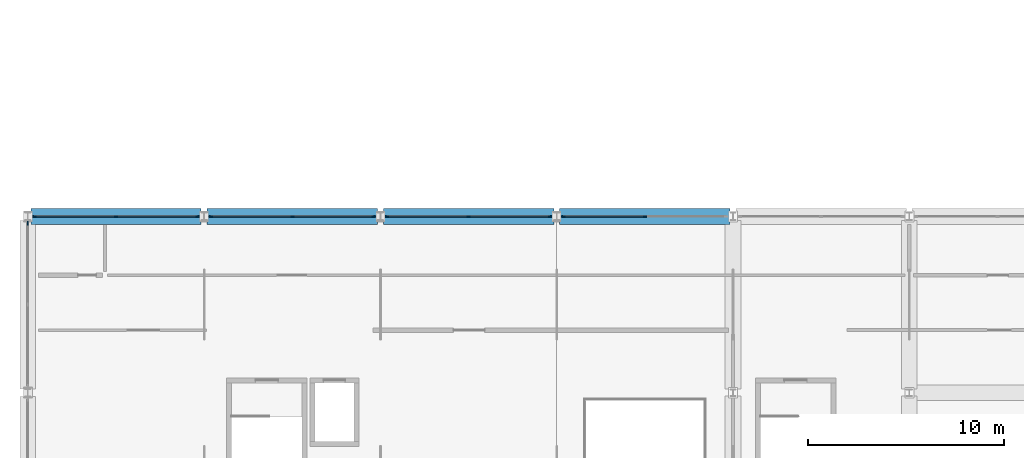
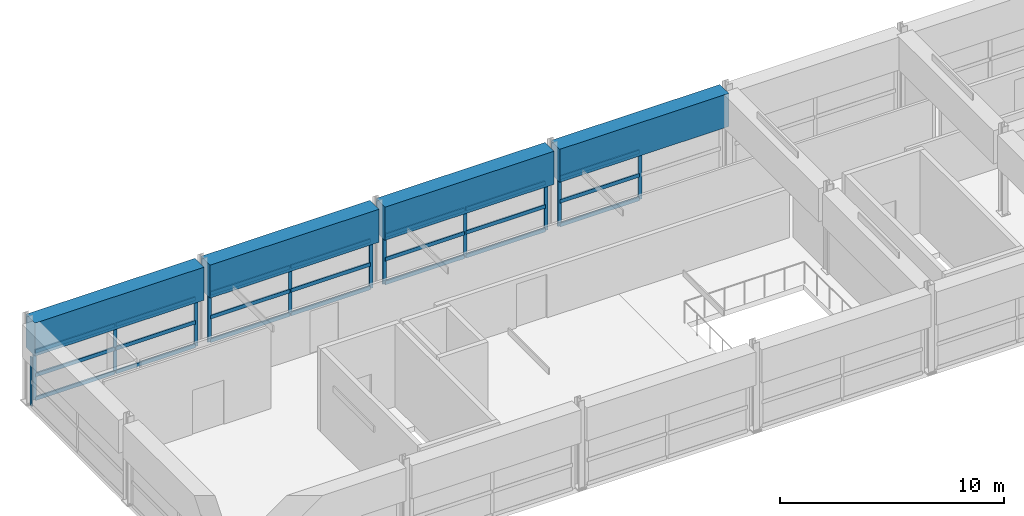
# One storey, part 5 of 56: 33 members, 4 beams, 5 elements without a shape of their own.
"""IFC4 building model written with IfcOpenShell, lengths in metres."""

from ifc_helpers import new_model, si_unit, direction, frame, origin, origin_2d, place, context, subcontext, project, spatial, rectangle, extrude, material, material_profile, profile_set, type_object, element, aggregate, save


model = new_model("IFC4")

# Units and contexts
model_context = context("Model", 3, precision=1e-05, world=origin(), true_north=direction((0.0, 1.0)))
body_context = subcontext(model_context, "Body", "Model", "MODEL_VIEW")
ifc_project = project(units=[si_unit("LENGTHUNIT", "METRE"), si_unit("AREAUNIT", "SQUARE_METRE"), si_unit("VOLUMEUNIT", "CUBIC_METRE"), si_unit("PLANEANGLEUNIT", "RADIAN"), si_unit("MASSUNIT", "GRAM", prefix="KILO")], contexts=[model_context])

# Site, building, storey
site_placement = place(None, origin())
site = spatial("IfcSite", under=ifc_project, at=site_placement, CompositionType="ELEMENT")
building_placement = place(site_placement, origin())
building = spatial("IfcBuilding", under=site, at=building_placement, Name="Bozkorgan Art Gallery", CompositionType="ELEMENT")
storey_placement = place(building_placement, frame((0.0, 0.0, 24.0)))
storey = spatial("IfcBuildingStorey", under=building, at=storey_placement, Name="L05", CompositionType="ELEMENT", Elevation=24.0)

# Beams
ifc_material_1 = material(Name="Concrete C35/45", Category="concrete")
ifc_material_profile_1 = material_profile(ifc_material_1, rectangle(XDim=0.800048828125, YDim=1.800048828125, at=origin_2d()), Name="RC 800x1800")
ifc_profile_set_1 = profile_set([ifc_material_profile_1], Name="Concrete C35/45")
beam_type = type_object("IfcBeamType", Name="BEAM-BM-77", PredefinedType="BEAM", material=ifc_profile_set_1)
for number, where, z_axis, x_axis, name in (
    (1, (2.14990234375, 20.0, 3.580078125), (1.0, 0.0, 0.0), (0.0, 1.0, 0.0), "V1 L05 beam X (2-11, 20.0)"),
    (2, (11.14990234375, 20.0, 3.580078125), (1.0, 0.0, 0.0), (0.0, 1.0, 0.0), "V1 L05 beam X (11-20, 20.0)"),
    (3, (20.14990234375, 20.0, 3.580078125), (1.0, 0.0, 0.0), (0.0, 1.0, 0.0), "V1 L05 beam X (20-29, 20.0)"),
    (4, (29.14990234375, 20.0, 3.580078125), (1.0, 0.0, 0.0), (0.0, 1.0, 0.0), "V1 L05 beam X (29-38, 20.0)"),
):
    element("IfcBeam", number, at=place(storey_placement, frame(where, z_axis=z_axis, x_axis=x_axis)), inside=storey, type_object=beam_type, Name=name, PredefinedType="BEAM", context=body_context, shape_type="SweptSolid", body=[
        extrude(rectangle(XDim=0.800048828125, YDim=1.800048828125, at=origin_2d()), origin(), (0.0, 0.0, 1.0), 8.7001953125),
    ])

# Curtain wall, members
ifc_material_2 = material(Name="Anodised Bronze Aluminium", Category="aluminium")
curtain_wall_type = type_object("IfcCurtainWallType", Name="CW-CW-23", PredefinedType="NOTDEFINED", material=ifc_material_2)
curtain_wall_1_placement = place(storey_placement, origin())
curtain_wall_1 = element("IfcCurtainWall", 5, at=curtain_wall_1_placement, inside=storey, type_object=curtain_wall_type, Name="L05 unitised curtain wall CW-V1-L05-1N-02", PredefinedType="NOTDEFINED")
ifc_material_profile_2 = material_profile(ifc_material_2, rectangle(XDim=0.06494140625, YDim=0.179931640625, at=origin_2d()), Name="ALU MULLION 65x180")
ifc_profile_set_2 = profile_set([ifc_material_profile_2], Name="Anodised Bronze Aluminium")
member_type_1 = type_object("IfcMemberType", Name="CWM-01", PredefinedType="MULLION", material=ifc_profile_set_2)
member_1_placement = place(storey_placement, frame((2.347412109375, 20.0, 0.02001953125), z_axis=(0.0, 0.0, 1.0), x_axis=(0.0, 1.0, 0.0)))
member_1 = element("IfcMember", 6, at=member_1_placement, type_object=member_type_1, Name="CW-23 mullion 1", PredefinedType="MULLION", context=body_context, shape_type="SweptSolid", body=[
    extrude(rectangle(XDim=0.06494140625, YDim=0.179931640625, at=origin_2d()), origin(), (0.0, 0.0, 1.0), 2.64501953125),
])
member_2_placement = place(storey_placement, frame((6.5, 20.0, 0.02001953125), z_axis=(0.0, 0.0, 1.0), x_axis=(0.0, 1.0, 0.0)))
member_2 = element("IfcMember", 7, at=member_2_placement, type_object=member_type_1, Name="CW-23 mullion 2", PredefinedType="MULLION", context=body_context, shape_type="SweptSolid", body=[
    extrude(rectangle(XDim=0.06494140625, YDim=0.179931640625, at=origin_2d()), origin(), (0.0, 0.0, 1.0), 2.64501953125),
])
member_3_placement = place(storey_placement, frame((10.652587890625, 20.0, 0.02001953125), z_axis=(0.0, 0.0, 1.0), x_axis=(0.0, 1.0, 0.0)))
member_3 = element("IfcMember", 8, at=member_3_placement, type_object=member_type_1, Name="CW-23 mullion 3", PredefinedType="MULLION", context=body_context, shape_type="SweptSolid", body=[
    extrude(rectangle(XDim=0.06494140625, YDim=0.179931640625, at=origin_2d()), origin(), (0.0, 0.0, 1.0), 2.64501953125),
])

curtain_wall_2_placement = place(storey_placement, origin())
curtain_wall_2 = element("IfcCurtainWall", 9, at=curtain_wall_2_placement, inside=storey, type_object=curtain_wall_type, Name="L05 unitised curtain wall CW-V1-L05-1N-04", PredefinedType="NOTDEFINED")
member_4_placement = place(storey_placement, frame((11.347412109375, 20.0, 0.02001953125), z_axis=(0.0, 0.0, 1.0), x_axis=(0.0, 1.0, 0.0)))
member_4 = element("IfcMember", 10, at=member_4_placement, type_object=member_type_1, Name="CW-23 mullion 1", PredefinedType="MULLION", context=body_context, shape_type="SweptSolid", body=[
    extrude(rectangle(XDim=0.06494140625, YDim=0.179931640625, at=origin_2d()), origin(), (0.0, 0.0, 1.0), 2.64501953125),
])
member_5_placement = place(storey_placement, frame((15.5, 20.0, 0.02001953125), z_axis=(0.0, 0.0, 1.0), x_axis=(0.0, 1.0, 0.0)))
member_5 = element("IfcMember", 11, at=member_5_placement, type_object=member_type_1, Name="CW-23 mullion 2", PredefinedType="MULLION", context=body_context, shape_type="SweptSolid", body=[
    extrude(rectangle(XDim=0.06494140625, YDim=0.179931640625, at=origin_2d()), origin(), (0.0, 0.0, 1.0), 2.64501953125),
])
member_6_placement = place(storey_placement, frame((19.652587890625, 20.0, 0.02001953125), z_axis=(0.0, 0.0, 1.0), x_axis=(0.0, 1.0, 0.0)))
member_6 = element("IfcMember", 12, at=member_6_placement, type_object=member_type_1, Name="CW-23 mullion 3", PredefinedType="MULLION", context=body_context, shape_type="SweptSolid", body=[
    extrude(rectangle(XDim=0.06494140625, YDim=0.179931640625, at=origin_2d()), origin(), (0.0, 0.0, 1.0), 2.64501953125),
])

curtain_wall_3_placement = place(storey_placement, origin())
curtain_wall_3 = element("IfcCurtainWall", 13, at=curtain_wall_3_placement, inside=storey, type_object=curtain_wall_type, Name="L05 unitised curtain wall CW-V1-L05-1N-06", PredefinedType="NOTDEFINED")
member_7_placement = place(storey_placement, frame((20.347412109375, 20.0, 0.02001953125), z_axis=(0.0, 0.0, 1.0), x_axis=(0.0, 1.0, 0.0)))
member_7 = element("IfcMember", 14, at=member_7_placement, type_object=member_type_1, Name="CW-23 mullion 1", PredefinedType="MULLION", context=body_context, shape_type="SweptSolid", body=[
    extrude(rectangle(XDim=0.06494140625, YDim=0.179931640625, at=origin_2d()), origin(), (0.0, 0.0, 1.0), 2.64501953125),
])
member_8_placement = place(storey_placement, frame((24.5, 20.0, 0.02001953125), z_axis=(0.0, 0.0, 1.0), x_axis=(0.0, 1.0, 0.0)))
member_8 = element("IfcMember", 15, at=member_8_placement, type_object=member_type_1, Name="CW-23 mullion 2", PredefinedType="MULLION", context=body_context, shape_type="SweptSolid", body=[
    extrude(rectangle(XDim=0.06494140625, YDim=0.179931640625, at=origin_2d()), origin(), (0.0, 0.0, 1.0), 2.64501953125),
])
member_9_placement = place(storey_placement, frame((28.652587890625, 20.0, 0.02001953125), z_axis=(0.0, 0.0, 1.0), x_axis=(0.0, 1.0, 0.0)))
member_9 = element("IfcMember", 16, at=member_9_placement, type_object=member_type_1, Name="CW-23 mullion 3", PredefinedType="MULLION", context=body_context, shape_type="SweptSolid", body=[
    extrude(rectangle(XDim=0.06494140625, YDim=0.179931640625, at=origin_2d()), origin(), (0.0, 0.0, 1.0), 2.64501953125),
])

curtain_wall_4_placement = place(storey_placement, origin())
curtain_wall_4 = element("IfcCurtainWall", 17, at=curtain_wall_4_placement, inside=storey, type_object=curtain_wall_type, Name="L05 unitised curtain wall CW-V1-L05-1N-08", PredefinedType="NOTDEFINED")
member_10_placement = place(storey_placement, frame((29.347412109375, 20.0, 0.02001953125), z_axis=(0.0, 0.0, 1.0), x_axis=(0.0, 1.0, 0.0)))
member_10 = element("IfcMember", 18, at=member_10_placement, type_object=member_type_1, Name="CW-23 mullion 1", PredefinedType="MULLION", context=body_context, shape_type="SweptSolid", body=[
    extrude(rectangle(XDim=0.06494140625, YDim=0.179931640625, at=origin_2d()), origin(), (0.0, 0.0, 1.0), 2.64501953125),
])
member_11_placement = place(storey_placement, frame((33.5, 20.0, 0.02001953125), z_axis=(0.0, 0.0, 1.0), x_axis=(0.0, 1.0, 0.0)))
member_11 = element("IfcMember", 19, at=member_11_placement, type_object=member_type_1, Name="CW-23 mullion 2", PredefinedType="MULLION", context=body_context, shape_type="SweptSolid", body=[
    extrude(rectangle(XDim=0.06494140625, YDim=0.179931640625, at=origin_2d()), origin(), (0.0, 0.0, 1.0), 2.64501953125),
])

# Curtain wall, member
curtain_wall_5_placement = place(storey_placement, origin())
curtain_wall_5 = element("IfcCurtainWall", 20, at=curtain_wall_5_placement, inside=storey, type_object=curtain_wall_type, Name="L05 unitised curtain wall CW-V1-L05-1W-17", PredefinedType="NOTDEFINED")
member_12_placement = place(storey_placement, frame((2.0, 19.652587890625, 0.02001953125), z_axis=(0.0, 0.0, 1.0), x_axis=(-1.0, 0.0, 0.0)))
member_12 = element("IfcMember", 21, at=member_12_placement, type_object=member_type_1, Name="CW-23 mullion 3", PredefinedType="MULLION", context=body_context, shape_type="SweptSolid", body=[
    extrude(rectangle(XDim=0.06494140625, YDim=0.179931640625, at=origin_2d()), origin(), (0.0, 0.0, 1.0), 2.64501953125),
])
aggregate(curtain_wall_5, [member_12])

# Member
ifc_material_profile_3 = material_profile(ifc_material_2, rectangle(XDim=0.080078125, YDim=0.199951171875, at=origin_2d()), Name="ALU TRANSOM 80x200")
ifc_profile_set_3 = profile_set([ifc_material_profile_3], Name="Anodised Bronze Aluminium")
member_type_2 = type_object("IfcMemberType", Name="CWT-03", PredefinedType="USERDEFINED", material=ifc_profile_set_3)
member_13_placement = place(storey_placement, frame((2.3798828125, 20.0, 0.06005859375), z_axis=(1.0, 0.0, 0.0), x_axis=(0.0, 1.0, 0.0)))
member_13 = element("IfcMember", 22, at=member_13_placement, type_object=member_type_2, Name="CW-23 transom 1.1", ObjectType="TRANSOM", PredefinedType="USERDEFINED", context=body_context, shape_type="SweptSolid", body=[
    extrude(rectangle(XDim=0.080078125, YDim=0.199951171875, at=origin_2d()), origin(), (0.0, 0.0, 1.0), 4.087646484375),
])

member_14_placement = place(storey_placement, frame((2.3798828125, 20.0, 1.343017578125), z_axis=(1.0, 0.0, 0.0), x_axis=(0.0, 1.0, 0.0)))
member_14 = element("IfcMember", 23, at=member_14_placement, type_object=member_type_2, Name="CW-23 transom 1.2", ObjectType="TRANSOM", PredefinedType="USERDEFINED", context=body_context, shape_type="SweptSolid", body=[
    extrude(rectangle(XDim=0.080078125, YDim=0.199951171875, at=origin_2d()), origin(), (0.0, 0.0, 1.0), 4.087646484375),
])

member_15_placement = place(storey_placement, frame((2.3798828125, 20.0, 2.625), z_axis=(1.0, 0.0, 0.0), x_axis=(0.0, 1.0, 0.0)))
member_15 = element("IfcMember", 24, at=member_15_placement, type_object=member_type_2, Name="CW-23 transom 1.3", ObjectType="TRANSOM", PredefinedType="USERDEFINED", context=body_context, shape_type="SweptSolid", body=[
    extrude(rectangle(XDim=0.080078125, YDim=0.199951171875, at=origin_2d()), origin(), (0.0, 0.0, 1.0), 4.087646484375),
])

member_16_placement = place(storey_placement, frame((6.532470703125, 20.0, 0.06005859375), z_axis=(1.0, 0.0, 0.0), x_axis=(0.0, 1.0, 0.0)))
member_16 = element("IfcMember", 25, at=member_16_placement, type_object=member_type_2, Name="CW-23 transom 2.1", ObjectType="TRANSOM", PredefinedType="USERDEFINED", context=body_context, shape_type="SweptSolid", body=[
    extrude(rectangle(XDim=0.080078125, YDim=0.199951171875, at=origin_2d()), origin(), (0.0, 0.0, 1.0), 4.087646484375),
])

member_17_placement = place(storey_placement, frame((6.532470703125, 20.0, 1.343017578125), z_axis=(1.0, 0.0, 0.0), x_axis=(0.0, 1.0, 0.0)))
member_17 = element("IfcMember", 26, at=member_17_placement, type_object=member_type_2, Name="CW-23 transom 2.2", ObjectType="TRANSOM", PredefinedType="USERDEFINED", context=body_context, shape_type="SweptSolid", body=[
    extrude(rectangle(XDim=0.080078125, YDim=0.199951171875, at=origin_2d()), origin(), (0.0, 0.0, 1.0), 4.087646484375),
])

member_18_placement = place(storey_placement, frame((6.532470703125, 20.0, 2.625), z_axis=(1.0, 0.0, 0.0), x_axis=(0.0, 1.0, 0.0)))
member_18 = element("IfcMember", 27, at=member_18_placement, type_object=member_type_2, Name="CW-23 transom 2.3", ObjectType="TRANSOM", PredefinedType="USERDEFINED", context=body_context, shape_type="SweptSolid", body=[
    extrude(rectangle(XDim=0.080078125, YDim=0.199951171875, at=origin_2d()), origin(), (0.0, 0.0, 1.0), 4.087646484375),
])

aggregate(curtain_wall_1, [member_1, member_2, member_3, member_13, member_14, member_15, member_16, member_17, member_18])

member_19_placement = place(storey_placement, frame((11.3798828125, 20.0, 0.06005859375), z_axis=(1.0, 0.0, 0.0), x_axis=(0.0, 1.0, 0.0)))
member_19 = element("IfcMember", 28, at=member_19_placement, type_object=member_type_2, Name="CW-23 transom 1.1", ObjectType="TRANSOM", PredefinedType="USERDEFINED", context=body_context, shape_type="SweptSolid", body=[
    extrude(rectangle(XDim=0.080078125, YDim=0.199951171875, at=origin_2d()), origin(), (0.0, 0.0, 1.0), 4.087646484375),
])

member_20_placement = place(storey_placement, frame((11.3798828125, 20.0, 1.343017578125), z_axis=(1.0, 0.0, 0.0), x_axis=(0.0, 1.0, 0.0)))
member_20 = element("IfcMember", 29, at=member_20_placement, type_object=member_type_2, Name="CW-23 transom 1.2", ObjectType="TRANSOM", PredefinedType="USERDEFINED", context=body_context, shape_type="SweptSolid", body=[
    extrude(rectangle(XDim=0.080078125, YDim=0.199951171875, at=origin_2d()), origin(), (0.0, 0.0, 1.0), 4.087646484375),
])

member_21_placement = place(storey_placement, frame((11.3798828125, 20.0, 2.625), z_axis=(1.0, 0.0, 0.0), x_axis=(0.0, 1.0, 0.0)))
member_21 = element("IfcMember", 30, at=member_21_placement, type_object=member_type_2, Name="CW-23 transom 1.3", ObjectType="TRANSOM", PredefinedType="USERDEFINED", context=body_context, shape_type="SweptSolid", body=[
    extrude(rectangle(XDim=0.080078125, YDim=0.199951171875, at=origin_2d()), origin(), (0.0, 0.0, 1.0), 4.087646484375),
])

member_22_placement = place(storey_placement, frame((15.532470703125, 20.0, 0.06005859375), z_axis=(1.0, 0.0, 0.0), x_axis=(0.0, 1.0, 0.0)))
member_22 = element("IfcMember", 31, at=member_22_placement, type_object=member_type_2, Name="CW-23 transom 2.1", ObjectType="TRANSOM", PredefinedType="USERDEFINED", context=body_context, shape_type="SweptSolid", body=[
    extrude(rectangle(XDim=0.080078125, YDim=0.199951171875, at=origin_2d()), origin(), (0.0, 0.0, 1.0), 4.087646484375),
])

member_23_placement = place(storey_placement, frame((15.532470703125, 20.0, 1.343017578125), z_axis=(1.0, 0.0, 0.0), x_axis=(0.0, 1.0, 0.0)))
member_23 = element("IfcMember", 32, at=member_23_placement, type_object=member_type_2, Name="CW-23 transom 2.2", ObjectType="TRANSOM", PredefinedType="USERDEFINED", context=body_context, shape_type="SweptSolid", body=[
    extrude(rectangle(XDim=0.080078125, YDim=0.199951171875, at=origin_2d()), origin(), (0.0, 0.0, 1.0), 4.087646484375),
])

member_24_placement = place(storey_placement, frame((15.532470703125, 20.0, 2.625), z_axis=(1.0, 0.0, 0.0), x_axis=(0.0, 1.0, 0.0)))
member_24 = element("IfcMember", 33, at=member_24_placement, type_object=member_type_2, Name="CW-23 transom 2.3", ObjectType="TRANSOM", PredefinedType="USERDEFINED", context=body_context, shape_type="SweptSolid", body=[
    extrude(rectangle(XDim=0.080078125, YDim=0.199951171875, at=origin_2d()), origin(), (0.0, 0.0, 1.0), 4.087646484375),
])

aggregate(curtain_wall_2, [member_4, member_5, member_6, member_19, member_20, member_21, member_22, member_23, member_24])

member_25_placement = place(storey_placement, frame((20.3798828125, 20.0, 0.06005859375), z_axis=(1.0, 0.0, 0.0), x_axis=(0.0, 1.0, 0.0)))
member_25 = element("IfcMember", 34, at=member_25_placement, type_object=member_type_2, Name="CW-23 transom 1.1", ObjectType="TRANSOM", PredefinedType="USERDEFINED", context=body_context, shape_type="SweptSolid", body=[
    extrude(rectangle(XDim=0.080078125, YDim=0.199951171875, at=origin_2d()), origin(), (0.0, 0.0, 1.0), 4.087646484375),
])

member_26_placement = place(storey_placement, frame((20.3798828125, 20.0, 1.343017578125), z_axis=(1.0, 0.0, 0.0), x_axis=(0.0, 1.0, 0.0)))
member_26 = element("IfcMember", 35, at=member_26_placement, type_object=member_type_2, Name="CW-23 transom 1.2", ObjectType="TRANSOM", PredefinedType="USERDEFINED", context=body_context, shape_type="SweptSolid", body=[
    extrude(rectangle(XDim=0.080078125, YDim=0.199951171875, at=origin_2d()), origin(), (0.0, 0.0, 1.0), 4.087646484375),
])

member_27_placement = place(storey_placement, frame((20.3798828125, 20.0, 2.625), z_axis=(1.0, 0.0, 0.0), x_axis=(0.0, 1.0, 0.0)))
member_27 = element("IfcMember", 36, at=member_27_placement, type_object=member_type_2, Name="CW-23 transom 1.3", ObjectType="TRANSOM", PredefinedType="USERDEFINED", context=body_context, shape_type="SweptSolid", body=[
    extrude(rectangle(XDim=0.080078125, YDim=0.199951171875, at=origin_2d()), origin(), (0.0, 0.0, 1.0), 4.087646484375),
])

member_28_placement = place(storey_placement, frame((24.532470703125, 20.0, 0.06005859375), z_axis=(1.0, 0.0, 0.0), x_axis=(0.0, 1.0, 0.0)))
member_28 = element("IfcMember", 37, at=member_28_placement, type_object=member_type_2, Name="CW-23 transom 2.1", ObjectType="TRANSOM", PredefinedType="USERDEFINED", context=body_context, shape_type="SweptSolid", body=[
    extrude(rectangle(XDim=0.080078125, YDim=0.199951171875, at=origin_2d()), origin(), (0.0, 0.0, 1.0), 4.087646484375),
])

member_29_placement = place(storey_placement, frame((24.532470703125, 20.0, 1.343017578125), z_axis=(1.0, 0.0, 0.0), x_axis=(0.0, 1.0, 0.0)))
member_29 = element("IfcMember", 38, at=member_29_placement, type_object=member_type_2, Name="CW-23 transom 2.2", ObjectType="TRANSOM", PredefinedType="USERDEFINED", context=body_context, shape_type="SweptSolid", body=[
    extrude(rectangle(XDim=0.080078125, YDim=0.199951171875, at=origin_2d()), origin(), (0.0, 0.0, 1.0), 4.087646484375),
])

member_30_placement = place(storey_placement, frame((24.532470703125, 20.0, 2.625), z_axis=(1.0, 0.0, 0.0), x_axis=(0.0, 1.0, 0.0)))
member_30 = element("IfcMember", 39, at=member_30_placement, type_object=member_type_2, Name="CW-23 transom 2.3", ObjectType="TRANSOM", PredefinedType="USERDEFINED", context=body_context, shape_type="SweptSolid", body=[
    extrude(rectangle(XDim=0.080078125, YDim=0.199951171875, at=origin_2d()), origin(), (0.0, 0.0, 1.0), 4.087646484375),
])

aggregate(curtain_wall_3, [member_7, member_8, member_9, member_25, member_26, member_27, member_28, member_29, member_30])

member_31_placement = place(storey_placement, frame((29.3798828125, 20.0, 0.06005859375), z_axis=(1.0, 0.0, 0.0), x_axis=(0.0, 1.0, 0.0)))
member_31 = element("IfcMember", 40, at=member_31_placement, type_object=member_type_2, Name="CW-23 transom 1.1", ObjectType="TRANSOM", PredefinedType="USERDEFINED", context=body_context, shape_type="SweptSolid", body=[
    extrude(rectangle(XDim=0.080078125, YDim=0.199951171875, at=origin_2d()), origin(), (0.0, 0.0, 1.0), 4.087646484375),
])

member_32_placement = place(storey_placement, frame((29.3798828125, 20.0, 1.343017578125), z_axis=(1.0, 0.0, 0.0), x_axis=(0.0, 1.0, 0.0)))
member_32 = element("IfcMember", 41, at=member_32_placement, type_object=member_type_2, Name="CW-23 transom 1.2", ObjectType="TRANSOM", PredefinedType="USERDEFINED", context=body_context, shape_type="SweptSolid", body=[
    extrude(rectangle(XDim=0.080078125, YDim=0.199951171875, at=origin_2d()), origin(), (0.0, 0.0, 1.0), 4.087646484375),
])

member_33_placement = place(storey_placement, frame((29.3798828125, 20.0, 2.625), z_axis=(1.0, 0.0, 0.0), x_axis=(0.0, 1.0, 0.0)))
member_33 = element("IfcMember", 42, at=member_33_placement, type_object=member_type_2, Name="CW-23 transom 1.3", ObjectType="TRANSOM", PredefinedType="USERDEFINED", context=body_context, shape_type="SweptSolid", body=[
    extrude(rectangle(XDim=0.080078125, YDim=0.199951171875, at=origin_2d()), origin(), (0.0, 0.0, 1.0), 4.087646484375),
])

aggregate(curtain_wall_4, [member_10, member_11, member_31, member_32, member_33])

save(model, "model.ifc")
